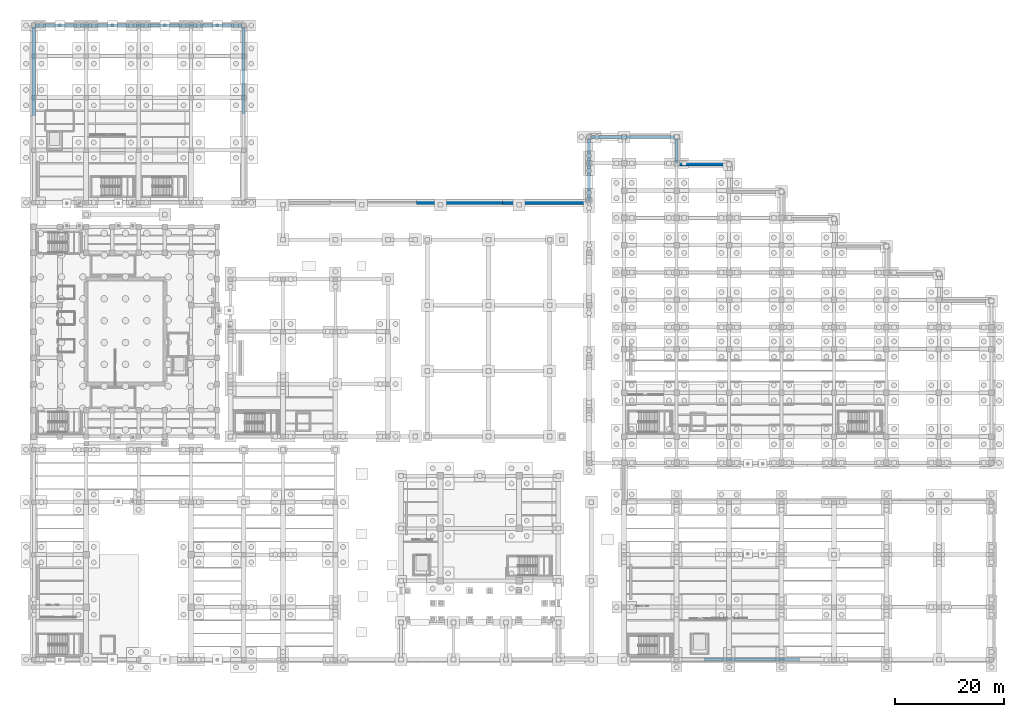
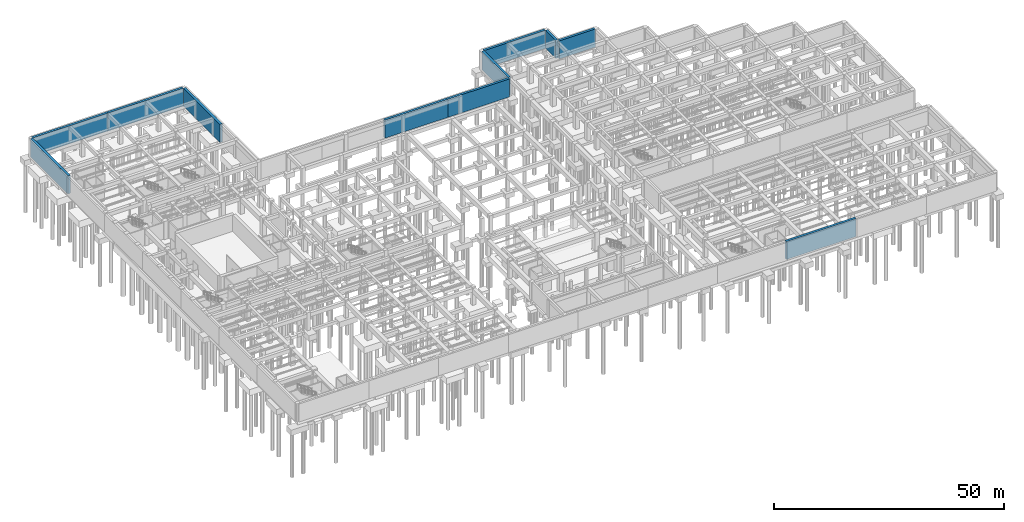
# One storey, part 39 of 56: 11 walls.
"""IFC4 building model written with IfcOpenShell, lengths in metres."""

from ifc_helpers import new_model, si_unit, direction, frame, frame_2d, origin, place, context, subcontext, project, spatial, rectangle, extrude, material, layer, layer_set, type_object, element, save


model = new_model("IFC4")

# Units and contexts
model_context = context("Model", 3, precision=1e-05, world=origin(), true_north=direction((0.0, 1.0)))
body_context = subcontext(model_context, "Body", "Model", "MODEL_VIEW")
ifc_project = project(units=[si_unit("LENGTHUNIT", "METRE"), si_unit("AREAUNIT", "SQUARE_METRE"), si_unit("VOLUMEUNIT", "CUBIC_METRE"), si_unit("PLANEANGLEUNIT", "RADIAN"), si_unit("MASSUNIT", "GRAM", prefix="KILO")], contexts=[model_context])

# Site, building, storey
site_placement = place(None, origin())
site = spatial("IfcSite", under=ifc_project, at=site_placement, CompositionType="ELEMENT")
building_placement = place(site_placement, origin())
building = spatial("IfcBuilding", under=site, at=building_placement, Name="Mavantir Sound Aquarium", CompositionType="ELEMENT")
storey_placement = place(building_placement, frame((0.0, 0.0, -9.60009765625)))
storey = spatial("IfcBuildingStorey", under=building, at=storey_placement, Name="B2", CompositionType="ELEMENT", Elevation=-9.60009765625)

# Walls
ifc_material = material(Name="Concrete C45/55", Category="concrete")
ifc_layer = layer(ifc_material, 0.60009765625, Name="Concrete C45/55")
ifc_layer_set = layer_set([ifc_layer], Name="Concrete C45/55")
wall_type = type_object("IfcWallType", Name="SW-RET-600", PredefinedType="USERDEFINED", material=ifc_layer_set)
wall_1_placement = place(storey_placement, frame((0.0, 99.428955078125, 0.0), z_axis=(0.0, 0.0, 1.0), x_axis=(0.0, 1.0, 0.0)))
element("IfcWall", 1, at=wall_1_placement, inside=storey, type_object=wall_type, Name="B2 perimeter plinth retaining wall 13", ObjectType="RETAINING WALL", PredefinedType="USERDEFINED", context=body_context, shape_type="SweptSolid", body=[
    extrude(rectangle(XDim=16.291015625, YDim=0.60009765625, at=frame_2d((8.1455078125, 0.0))), origin(), (0.0, 0.0, 1.0), 4.800048828125),
])
wall_2_placement = place(storey_placement, frame((0.280029296875, 116.0, 0.0), z_axis=(0.0, 0.0, 1.0), x_axis=(1.0, 0.0, 0.0)))
element("IfcWall", 2, at=wall_2_placement, inside=storey, type_object=wall_type, Name="B2 perimeter plinth retaining wall 15", ObjectType="RETAINING WALL", PredefinedType="USERDEFINED", context=body_context, shape_type="SweptSolid", body=[
    extrude(rectangle(XDim=18.919921875, YDim=0.60009765625, at=frame_2d((9.4599609375, 0.0))), origin(), (0.0, 0.0, 1.0), 4.800048828125),
])
wall_3_placement = place(storey_placement, frame((19.199951171875, 116.0, 0.0), z_axis=(0.0, 0.0, 1.0), x_axis=(1.0, 0.0, 0.0)))
element("IfcWall", 3, at=wall_3_placement, inside=storey, type_object=wall_type, Name="B2 perimeter plinth retaining wall 17", ObjectType="RETAINING WALL", PredefinedType="USERDEFINED", context=body_context, shape_type="SweptSolid", body=[
    extrude(rectangle(XDim=18.920166015625, YDim=0.60009765625, at=frame_2d((9.4599609375, 0.0))), origin(), (0.0, 0.0, 1.0), 4.800048828125),
])
wall_4_placement = place(storey_placement, frame((38.39990234375, 115.719970703125, 0.0), z_axis=(0.0, 0.0, 1.0), x_axis=(0.0, -1.0, 0.0)))
element("IfcWall", 4, at=wall_4_placement, inside=storey, type_object=wall_type, Name="B2 perimeter plinth retaining wall 19", ObjectType="RETAINING WALL", PredefinedType="USERDEFINED", context=body_context, shape_type="SweptSolid", body=[
    extrude(rectangle(XDim=15.945068359375, YDim=0.60009765625, at=frame_2d((7.97265625, 0.0))), origin(), (0.0, 0.0, 1.0), 4.800048828125),
])
wall_5_placement = place(storey_placement, frame((70.0, 83.550048828125, 0.0), z_axis=(0.0, 0.0, 1.0), x_axis=(1.0, 0.0, 0.0)))
element("IfcWall", 5, at=wall_5_placement, inside=storey, type_object=wall_type, Name="B2 perimeter plinth retaining wall 27", ObjectType="RETAINING WALL", PredefinedType="USERDEFINED", context=body_context, shape_type="SweptSolid", body=[
    extrude(rectangle(XDim=15.800048828125, YDim=0.60009765625, at=frame_2d((7.89990234375, 0.0))), origin(), (0.0, 0.0, 1.0), 4.800048828125),
])
wall_6_placement = place(storey_placement, frame((85.800048828125, 83.550048828125, 0.0), z_axis=(0.0, 0.0, 1.0), x_axis=(1.0, 0.0, 0.0)))
element("IfcWall", 6, at=wall_6_placement, inside=storey, type_object=wall_type, Name="B2 perimeter plinth retaining wall 29", ObjectType="RETAINING WALL", PredefinedType="USERDEFINED", context=body_context, shape_type="SweptSolid", body=[
    extrude(rectangle(XDim=15.52001953125, YDim=0.60009765625, at=frame_2d((7.760009765625, 0.0))), origin(), (0.0, 0.0, 1.0), 4.800048828125),
])
wall_7_placement = place(storey_placement, frame((101.60009765625, 83.830078125, 0.0), z_axis=(0.0, 0.0, 1.0), x_axis=(0.0, 1.0, 0.0)))
element("IfcWall", 7, at=wall_7_placement, inside=storey, type_object=wall_type, Name="B2 perimeter plinth retaining wall 31", ObjectType="RETAINING WALL", PredefinedType="USERDEFINED", context=body_context, shape_type="SweptSolid", body=[
    extrude(rectangle(XDim=11.489990234375, YDim=0.60009765625, at=frame_2d((5.7451171875, 0.0))), origin(), (0.0, 0.0, 1.0), 4.800048828125),
])
wall_8_placement = place(storey_placement, frame((101.8798828125, 95.60009765625, 0.0), z_axis=(0.0, 0.0, 1.0), x_axis=(1.0, 0.0, 0.0)))
element("IfcWall", 8, at=wall_8_placement, inside=storey, type_object=wall_type, Name="B2 perimeter plinth retaining wall 33", ObjectType="RETAINING WALL", PredefinedType="USERDEFINED", context=body_context, shape_type="SweptSolid", body=[
    extrude(rectangle(XDim=15.440185546875, YDim=0.60009765625, at=frame_2d((7.72021484375, 0.0))), origin(), (0.0, 0.0, 1.0), 4.800048828125),
])
wall_9_placement = place(storey_placement, frame((117.60009765625, 95.320068359375, 0.0), z_axis=(0.0, 0.0, 1.0), x_axis=(0.0, -1.0, 0.0)))
element("IfcWall", 9, at=wall_9_placement, inside=storey, type_object=wall_type, Name="B2 perimeter plinth retaining wall 35", ObjectType="RETAINING WALL", PredefinedType="USERDEFINED", context=body_context, shape_type="SweptSolid", body=[
    extrude(rectangle(XDim=4.440185546875, YDim=0.60009765625, at=frame_2d((2.22021484375, 0.0))), origin(), (0.0, 0.0, 1.0), 4.800048828125),
])
wall_10_placement = place(storey_placement, frame((117.8798828125, 90.60009765625, 0.0), z_axis=(0.0, 0.0, 1.0), x_axis=(1.0, 0.0, 0.0)))
element("IfcWall", 10, at=wall_10_placement, inside=storey, type_object=wall_type, Name="B2 perimeter plinth retaining wall 37", ObjectType="RETAINING WALL", PredefinedType="USERDEFINED", context=body_context, shape_type="SweptSolid", body=[
    extrude(rectangle(XDim=9.0400390625, YDim=0.60009765625, at=frame_2d((4.52001953125, 0.0))), origin(), (0.0, 0.0, 1.0), 4.800048828125),
])
wall_11_placement = place(storey_placement, frame((140.159912109375, 0.0, 0.0), z_axis=(0.0, 0.0, 1.0), x_axis=(-1.0, 0.0, 0.0)))
element("IfcWall", 11, at=wall_11_placement, inside=storey, type_object=wall_type, Name="B2 perimeter plinth retaining wall 89", ObjectType="RETAINING WALL", PredefinedType="USERDEFINED", context=body_context, shape_type="SweptSolid", body=[
    extrude(rectangle(XDim=17.52001953125, YDim=0.60009765625, at=frame_2d((8.760009765625, 0.0))), origin(), (0.0, 0.0, 1.0), 4.800048828125),
])

save(model, "model.ifc")
